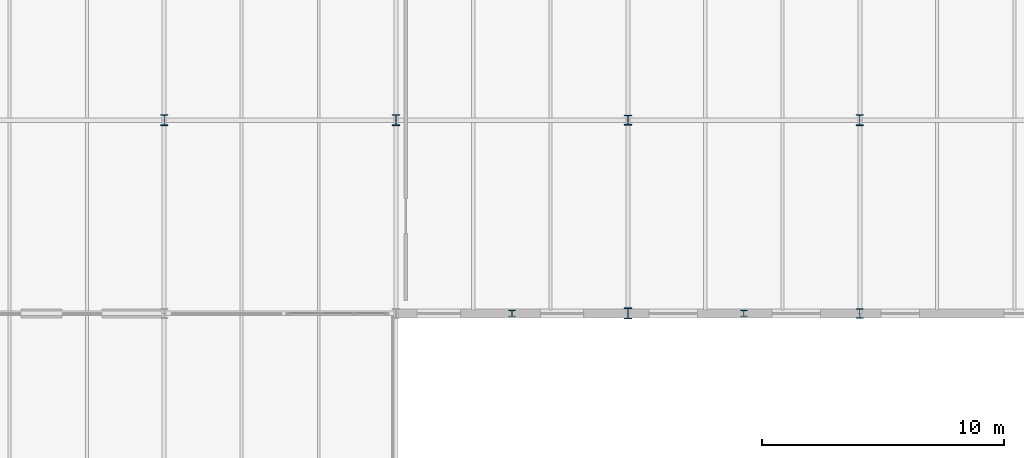
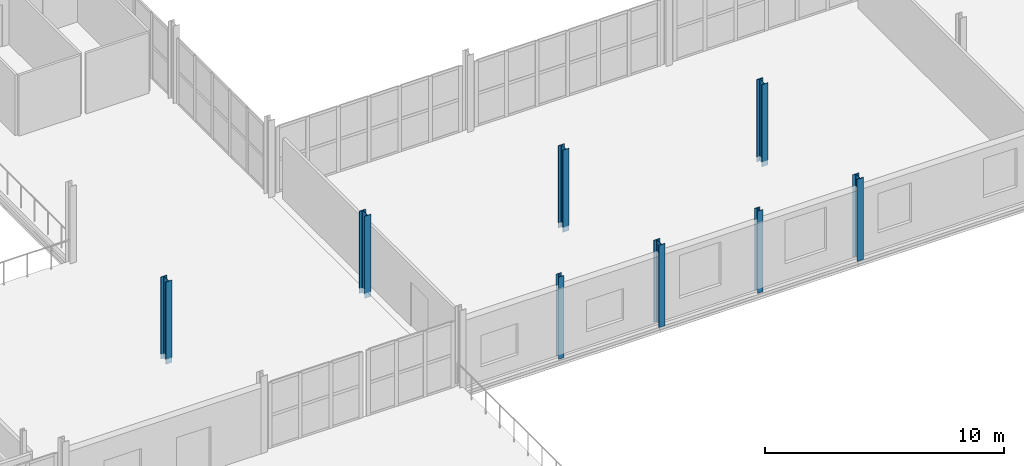
# One storey, part 5 of 85: 8 columns.
"""IFC4 building model written with IfcOpenShell, lengths in metres."""

from ifc_helpers import new_model, si_unit, direction, frame, origin, origin_2d, place, context, subcontext, project, spatial, i_section, extrude, material, material_profile, profile_set, type_object, element, save


model = new_model("IFC4")

# Units and contexts
model_context = context("Model", 3, precision=1e-05, world=origin(), true_north=direction((0.0, 1.0)))
body_context = subcontext(model_context, "Body", "Model", "MODEL_VIEW")
ifc_project = project(units=[si_unit("LENGTHUNIT", "METRE"), si_unit("AREAUNIT", "SQUARE_METRE"), si_unit("VOLUMEUNIT", "CUBIC_METRE"), si_unit("PLANEANGLEUNIT", "RADIAN"), si_unit("MASSUNIT", "GRAM", prefix="KILO")], contexts=[model_context])

# Site, building, storey
site_placement = place(None, origin())
site = spatial("IfcSite", under=ifc_project, at=site_placement, CompositionType="ELEMENT")
building_placement = place(site_placement, origin())
building = spatial("IfcBuilding", under=site, at=building_placement, Name="Alderhovde Museum", CompositionType="ELEMENT")
storey_placement = place(building_placement, frame((0.0, 0.0, 8.699951171875)))
storey = spatial("IfcBuildingStorey", under=building, at=storey_placement, Name="L02", CompositionType="ELEMENT", Elevation=8.699951171875)

# Columns
ifc_material_1 = material(Name="Steel S355J2", Category="steel")
ifc_material_profile_1 = material_profile(ifc_material_1, i_section(OverallWidth=0.300048828125, OverallDepth=0.39990234375, WebThickness=0.013427734375, FlangeThickness=0.02392578125, FilletRadius=0.027099609375, at=origin_2d()), Name="HEB 400")
ifc_profile_set_1 = profile_set([ifc_material_profile_1], Name="Steel S355J2")
column_type_1 = type_object("IfcColumnType", Name="COL-HEB400", PredefinedType="COLUMN", material=ifc_profile_set_1)
for number, where, z_axis, x_axis, name in (
    (1, (124.800048828125, 40.0, -0.260009765625), (0.0, 0.0, 1.0), (1.0, 0.0, 0.0), "L02 Column (124.8, 40.0)"),
    (2, (134.39990234375, 32.0, -0.260009765625), (0.0, 0.0, 1.0), (1.0, 0.0, 0.0), "L02 Column (134.4, 32.0)"),
):
    element("IfcColumn", number, at=place(storey_placement, frame(where, z_axis=z_axis, x_axis=x_axis)), inside=storey, type_object=column_type_1, Name=name, PredefinedType="COLUMN", context=body_context, shape_type="SweptSolid", body=[
        extrude(i_section(OverallWidth=0.300048828125, OverallDepth=0.39990234375, WebThickness=0.013427734375, FlangeThickness=0.02392578125, FilletRadius=0.027099609375, at=origin_2d()), origin(), (0.0, 0.0, 1.0), 4.199951171875),
    ])
ifc_material_2 = material(Name="Steel S355J2", Category="steel")
ifc_material_profile_2 = material_profile(ifc_material_2, i_section(OverallWidth=0.300048828125, OverallDepth=0.449951171875, WebThickness=0.013916015625, FlangeThickness=0.02587890625, FilletRadius=0.027099609375, at=origin_2d()), Name="HEB 450")
ifc_profile_set_2 = profile_set([ifc_material_profile_2], Name="Steel S355J2")
column_type_2 = type_object("IfcColumnType", Name="COL-HEB450", PredefinedType="COLUMN", material=ifc_profile_set_2)
for number, where, z_axis, x_axis, name in (
    (3, (105.60009765625, 40.0, -0.260009765625), (0.0, 0.0, 1.0), (1.0, 0.0, 0.0), "L02 Column (105.6, 40.0)"),
    (4, (115.199951171875, 40.0, -0.260009765625), (0.0, 0.0, 1.0), (1.0, 0.0, 0.0), "L02 Column (115.2, 40.0)"),
    (5, (124.800048828125, 32.0, -0.260009765625), (0.0, 0.0, 1.0), (1.0, 0.0, 0.0), "L02 Column (124.8, 32.0)"),
    (6, (134.39990234375, 40.0, -0.260009765625), (0.0, 0.0, 1.0), (1.0, 0.0, 0.0), "L02 Column (134.4, 40.0)"),
):
    element("IfcColumn", number, at=place(storey_placement, frame(where, z_axis=z_axis, x_axis=x_axis)), inside=storey, type_object=column_type_2, Name=name, PredefinedType="COLUMN", context=body_context, shape_type="SweptSolid", body=[
        extrude(i_section(OverallWidth=0.300048828125, OverallDepth=0.449951171875, WebThickness=0.013916015625, FlangeThickness=0.02587890625, FilletRadius=0.027099609375, at=origin_2d()), origin(), (0.0, 0.0, 1.0), 4.199951171875),
    ])
ifc_material_3 = material(Name="Steel S355J2", Category="steel")
ifc_material_profile_3 = material_profile(ifc_material_3, i_section(OverallWidth=0.260009765625, OverallDepth=0.25, WebThickness=0.007568359375, FlangeThickness=0.012451171875, FilletRadius=0.02392578125, at=origin_2d()), Name="HEA 260")
ifc_profile_set_3 = profile_set([ifc_material_profile_3], Name="Steel S355J2")
column_type_3 = type_object("IfcColumnType", Name="PIL-HEA260", PredefinedType="PILASTER", material=ifc_profile_set_3)
for number, where, z_axis, x_axis, name in (
    (7, (120.0, 32.0, -0.260009765625), (0.0, 0.0, 1.0), (1.0, 0.0, 0.0), "L02 Structural Pilaster (120.0, 32.0)"),
    (8, (129.60009765625, 32.0, -0.260009765625), (0.0, 0.0, 1.0), (1.0, 0.0, 0.0), "L02 Structural Pilaster (129.6, 32.0)"),
):
    element("IfcColumn", number, at=place(storey_placement, frame(where, z_axis=z_axis, x_axis=x_axis)), inside=storey, type_object=column_type_3, Name=name, PredefinedType="PILASTER", context=body_context, shape_type="SweptSolid", body=[
        extrude(i_section(OverallWidth=0.260009765625, OverallDepth=0.25, WebThickness=0.007568359375, FlangeThickness=0.012451171875, FilletRadius=0.02392578125, at=origin_2d()), origin(), (0.0, 0.0, 1.0), 4.199951171875),
    ])

save(model, "model.ifc")
